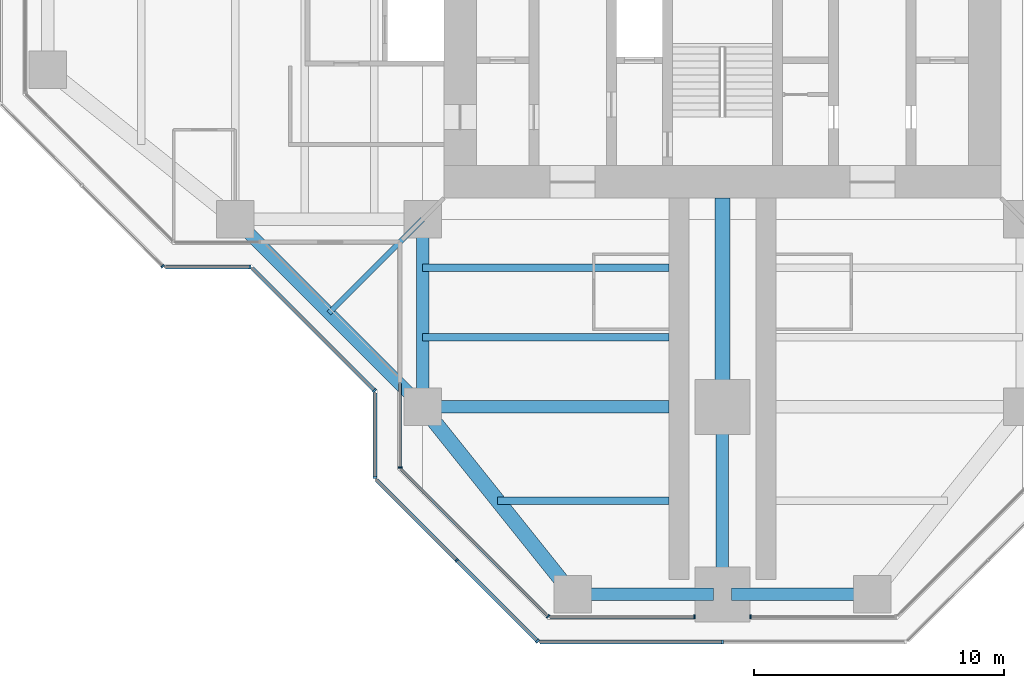
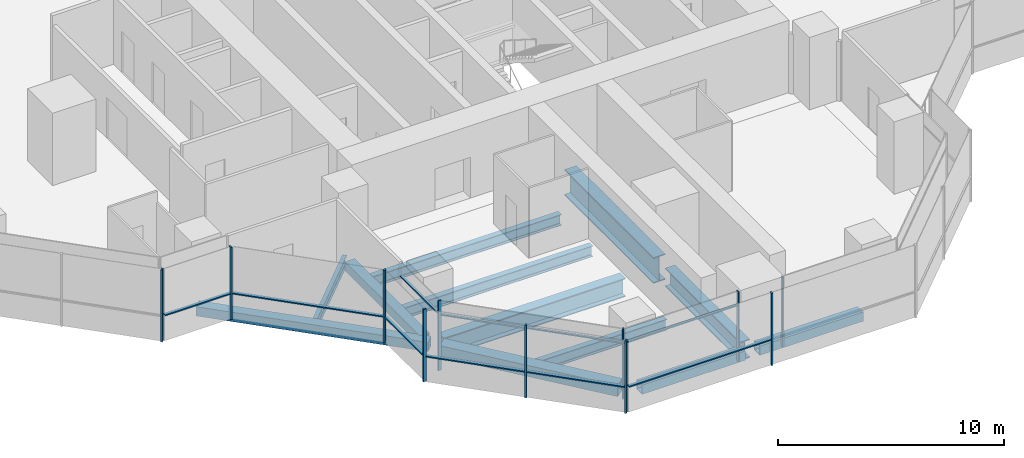
# One storey, part 2 of 17: 20 members, 12 beams, 10 elements without a shape of their own.
"""IFC4 building model written with IfcOpenShell, lengths in metres."""

from ifc_helpers import new_model, si_unit, direction, frame, origin, origin_2d, place, context, subcontext, project, spatial, rectangle, hollow_rectangle, i_section, extrude, material, material_profile, profile_set, type_object, element, aggregate, save


model = new_model("IFC4")

# Units and contexts
model_context = context("Model", 3, precision=1e-05, world=origin(), true_north=direction((0.0, 1.0)))
body_context = subcontext(model_context, "Body", "Model", "MODEL_VIEW")
ifc_project = project(units=[si_unit("LENGTHUNIT", "METRE"), si_unit("AREAUNIT", "SQUARE_METRE"), si_unit("VOLUMEUNIT", "CUBIC_METRE"), si_unit("PLANEANGLEUNIT", "RADIAN"), si_unit("MASSUNIT", "GRAM", prefix="KILO")], contexts=[model_context])

# Site, building, storey
site_placement = place(None, origin())
site = spatial("IfcSite", under=ifc_project, at=site_placement, CompositionType="ELEMENT")
building_placement = place(site_placement, origin())
building = spatial("IfcBuilding", under=site, at=building_placement, Name="Mizan Broadcast Tower", CompositionType="ELEMENT")
storey_placement = place(building_placement, frame((0.0, 0.0, 251.699951171875)))
storey = spatial("IfcBuildingStorey", under=building, at=storey_placement, Name="L59", CompositionType="ELEMENT", Elevation=251.699951171875)

# Beams
ifc_material_1 = material(Name="Steel S355", Category="steel")
ifc_material_profile_1 = material_profile(ifc_material_1, hollow_rectangle(XDim=0.5, YDim=0.5, WallThickness=0.030029296875, at=origin_2d()), Name="BOX 500x500x30")
ifc_profile_set_1 = profile_set([ifc_material_profile_1], Name="Steel S355")
beam_type_1 = type_object("IfcBeamType", Name="EDGE BEAM BOX 500x500x30", PredefinedType="SPANDREL", material=ifc_profile_set_1)
beam_1_placement = place(storey_placement, frame((-12.0, -12.449951171875, -0.3798828125), z_axis=(0.0, -1.0, 0.0), x_axis=(1.0, 0.0, 0.0)))
element("IfcBeam", 1, at=beam_1_placement, inside=storey, type_object=beam_type_1, Name="Edge beam BOX 500x500x30 L59 south arm", PredefinedType="SPANDREL", context=body_context, shape_type="SweptSolid", body=[
    extrude(hollow_rectangle(XDim=0.5, YDim=0.5, WallThickness=0.030029296875, at=origin_2d()), origin(), (0.0, 0.0, 1.0), 6.60009765625),
])
for number, where, z_axis, x_axis, name in (
    (2, (-5.639892578125, -27.0, -0.3798828125), (1.0, 0.0, 0.0), (0.0, 1.0, 0.0), "Edge beam BOX 500x500x30 L59 south arm"),
    (3, (5.639892578125, -27.0, -0.3798828125), (-1.0, 0.0, 0.0), (0.0, -1.0, 0.0), "Edge beam BOX 500x500x30 L59 south arm"),
):
    element("IfcBeam", number, at=place(storey_placement, frame(where, z_axis=z_axis, x_axis=x_axis)), inside=storey, type_object=beam_type_1, Name=name, PredefinedType="SPANDREL", context=body_context, shape_type="SweptSolid", body=[
        extrude(hollow_rectangle(XDim=0.5, YDim=0.5, WallThickness=0.030029296875, at=origin_2d()), origin(), (0.0, 0.0, 1.0), 5.27978515625),
    ])
beam_2_placement = place(storey_placement, frame((-19.5, -12.0, -0.3798828125), z_axis=(0.707106781187, -0.707106781187, 0.0), x_axis=(0.707106781187, 0.707106781187, 0.0)))
element("IfcBeam", 4, at=beam_2_placement, inside=storey, type_object=beam_type_1, Name="Winter garden edge beam L59 W", PredefinedType="SPANDREL", context=body_context, shape_type="SweptSolid", body=[
    extrude(hollow_rectangle(XDim=0.5, YDim=0.5, WallThickness=0.030029296875, at=origin_2d()), origin(), (0.0, 0.0, 1.0), 10.606689453125),
])
ifc_material_2 = material(Name="Steel S355", Category="steel")
ifc_material_profile_2 = material_profile(ifc_material_2, hollow_rectangle(XDim=0.60009765625, YDim=0.60009765625, WallThickness=0.030029296875, at=origin_2d()), Name="BOX 600x600x30")
ifc_profile_set_2 = profile_set([ifc_material_profile_2], Name="Steel S355")
beam_type_2 = type_object("IfcBeamType", Name="EDGE BEAM BOX 600x600x30", PredefinedType="SPANDREL", material=ifc_profile_set_2)
beam_3_placement = place(storey_placement, frame((-11.639892578125, -19.949951171875, -0.429931640625), z_axis=(0.624673911726, -0.780885717636, 0.0), x_axis=(0.780885717636, 0.624673911726, 0.0)))
element("IfcBeam", 5, at=beam_3_placement, inside=storey, type_object=beam_type_2, Name="Edge beam BOX 600x600x30 L59 south arm", PredefinedType="SPANDREL", context=body_context, shape_type="SweptSolid", body=[
    extrude(hollow_rectangle(XDim=0.60009765625, YDim=0.60009765625, WallThickness=0.030029296875, at=origin_2d()), origin(), (0.0, 0.0, 1.0), 8.4521484375),
])
ifc_material_3 = material(Name="Steel S460", Category="steel")
ifc_material_profile_3 = material_profile(ifc_material_3, i_section(OverallWidth=0.5, OverallDepth=1.0, WebThickness=0.02490234375, FlangeThickness=0.050048828125, at=origin_2d()), Name="WPG 1000x500")
ifc_profile_set_3 = profile_set([ifc_material_profile_3], Name="Steel S460")
beam_type_3 = type_object("IfcBeamType", Name="GIRDER WPG 1000x500", PredefinedType="BEAM", material=ifc_profile_set_3)
beam_4_placement = place(storey_placement, frame((0.0, -19.949951171875, -0.6298828125), z_axis=(0.0, -1.0, 0.0), x_axis=(1.0, 0.0, 0.0)))
element("IfcBeam", 6, at=beam_4_placement, inside=storey, type_object=beam_type_3, Name="Girder WPG 1000x500 L59 south arm", PredefinedType="BEAM", context=body_context, shape_type="SweptSolid", body=[
    extrude(i_section(OverallWidth=0.5, OverallDepth=1.0, WebThickness=0.02490234375, FlangeThickness=0.050048828125, at=origin_2d()), origin(), (0.0, 0.0, 1.0), 6.60009765625),
])
beam_5_placement = place(storey_placement, frame((-11.408935546875, -19.5, -0.6298828125), z_axis=(1.0, 0.0, 0.0), x_axis=(0.0, 1.0, 0.0)))
element("IfcBeam", 7, at=beam_5_placement, inside=storey, type_object=beam_type_3, Name="Girder WPG 1000x500 L59 south arm", PredefinedType="BEAM", context=body_context, shape_type="SweptSolid", body=[
    extrude(i_section(OverallWidth=0.5, OverallDepth=1.0, WebThickness=0.02490234375, FlangeThickness=0.050048828125, at=origin_2d()), origin(), (0.0, 0.0, 1.0), 9.259033203125),
])
ifc_material_4 = material(Name="Steel S460", Category="steel")
ifc_material_profile_4 = material_profile(ifc_material_4, i_section(OverallWidth=0.60009765625, OverallDepth=1.39990234375, WebThickness=0.02490234375, FlangeThickness=0.06005859375, at=origin_2d()), Name="WPG 1400x600")
ifc_profile_set_4 = profile_set([ifc_material_profile_4], Name="Steel S460")
beam_type_4 = type_object("IfcBeamType", Name="GIRDER WPG 1400x600", PredefinedType="BEAM", material=ifc_profile_set_4)
beam_6_placement = place(storey_placement, frame((0.0, -11.14990234375, -0.829833984375), z_axis=(0.0, -1.0, 0.0), x_axis=(1.0, 0.0, 0.0)))
element("IfcBeam", 8, at=beam_6_placement, inside=storey, type_object=beam_type_4, Name="Girder WPG 1400x600 L59 south arm", PredefinedType="BEAM", context=body_context, shape_type="SweptSolid", body=[
    extrude(i_section(OverallWidth=0.60009765625, OverallDepth=1.39990234375, WebThickness=0.02490234375, FlangeThickness=0.06005859375, at=origin_2d()), origin(), (0.0, 0.0, 1.0), 7.84912109375),
])

# Curtain wall, member
ifc_material_5 = material(Name="Aluminium framed glazing", Category="aluminium")
curtain_wall_type_1 = type_object("IfcCurtainWallType", Name="INNER SKIN HIGH ZONE", PredefinedType="USERDEFINED", material=ifc_material_5)
curtain_wall_1_placement = place(storey_placement, origin())
curtain_wall_1 = element("IfcCurtainWall", 9, at=curtain_wall_1_placement, inside=storey, type_object=curtain_wall_type_1, Name="Inner skin high zone L59 S side", ObjectType="INNER SKIN HIGH ZONE", PredefinedType="USERDEFINED")
ifc_material_6 = material(Name="Aluminium, pale anodised", Category="aluminium")
ifc_material_profile_5 = material_profile(ifc_material_6, rectangle(XDim=0.159912109375, YDim=0.06005859375, at=origin_2d()), Name="MULLION 160x60")
ifc_profile_set_5 = profile_set([ifc_material_profile_5], Name="Aluminium, pale anodised")
member_type_1 = type_object("IfcMemberType", Name="INNER SKIN MULLION 60x160", PredefinedType="MULLION", material=ifc_profile_set_5)
member_1_placement = place(storey_placement, frame((-12.89990234375, -21.928466796875, 0.0), z_axis=(0.0, 0.0, 1.0), x_axis=(1.0, 0.0, 0.0)))
member_1 = element("IfcMember", 10, at=member_1_placement, type_object=member_type_1, Name="Inner skin high zone L59 S side mullion 2", PredefinedType="MULLION", context=body_context, shape_type="SweptSolid", body=[
    extrude(rectangle(XDim=0.159912109375, YDim=0.06005859375, at=origin_2d()), origin(), (0.0, 0.0, 1.0), 3.77001953125),
])

curtain_wall_2_placement = place(storey_placement, origin())
curtain_wall_2 = element("IfcCurtainWall", 11, at=curtain_wall_2_placement, inside=storey, type_object=curtain_wall_type_1, Name="Inner skin high zone L59 S chamfer", ObjectType="INNER SKIN HIGH ZONE", PredefinedType="USERDEFINED")
member_2_placement = place(storey_placement, frame((-6.979736328125, -27.87890625, 0.0), z_axis=(0.0, 0.0, 1.0), x_axis=(0.707106781187, 0.707106781187, 0.0)))
member_2 = element("IfcMember", 12, at=member_2_placement, type_object=member_type_1, Name="Inner skin high zone L59 S chamfer mullion 2", PredefinedType="MULLION", context=body_context, shape_type="SweptSolid", body=[
    extrude(rectangle(XDim=0.159912109375, YDim=0.06005859375, at=origin_2d()), origin(), (0.0, 0.0, 1.0), 3.77001953125),
])

curtain_wall_3_placement = place(storey_placement, origin())
curtain_wall_3 = element("IfcCurtainWall", 13, at=curtain_wall_3_placement, inside=storey, type_object=curtain_wall_type_1, Name="Inner skin high zone L59 S end", ObjectType="INNER SKIN HIGH ZONE", PredefinedType="USERDEFINED")
member_3_placement = place(storey_placement, frame((-1.1298828125, -27.89990234375, 0.0), z_axis=(0.0, 0.0, 1.0), x_axis=(0.0, 1.0, 0.0)))
member_3 = element("IfcMember", 14, at=member_3_placement, type_object=member_type_1, Name="Inner skin high zone L59 S end mullion 2", PredefinedType="MULLION", context=body_context, shape_type="SweptSolid", body=[
    extrude(rectangle(XDim=0.159912109375, YDim=0.06005859375, at=origin_2d()), origin(), (0.0, 0.0, 1.0), 3.77001953125),
])

curtain_wall_4_placement = place(storey_placement, origin())
curtain_wall_4 = element("IfcCurtainWall", 15, at=curtain_wall_4_placement, inside=storey, type_object=curtain_wall_type_1, Name="Inner skin high zone L59 S end", ObjectType="INNER SKIN HIGH ZONE", PredefinedType="USERDEFINED")
member_4_placement = place(storey_placement, frame((1.1298828125, -27.89990234375, 0.0), z_axis=(0.0, 0.0, 1.0), x_axis=(0.0, 1.0, 0.0)))
member_4 = element("IfcMember", 16, at=member_4_placement, type_object=member_type_1, Name="Inner skin high zone L59 S end mullion 1", PredefinedType="MULLION", context=body_context, shape_type="SweptSolid", body=[
    extrude(rectangle(XDim=0.159912109375, YDim=0.06005859375, at=origin_2d()), origin(), (0.0, 0.0, 1.0), 3.77001953125),
])
aggregate(curtain_wall_4, [member_4])

# Member
ifc_material_7 = material(Name="Aluminium, pale anodised", Category="aluminium")
ifc_material_profile_6 = material_profile(ifc_material_7, rectangle(XDim=0.1201171875, YDim=0.06005859375, at=origin_2d()), Name="TRANSOM 120x60")
ifc_profile_set_6 = profile_set([ifc_material_profile_6], Name="Aluminium, pale anodised")
member_type_2 = type_object("IfcMemberType", Name="INNER SKIN TRANSOM 60x120", PredefinedType="USERDEFINED", material=ifc_profile_set_6)
member_5_placement = place(storey_placement, frame((-12.89990234375, -18.56005859375, 3.030029296875), z_axis=(0.0, -1.0, 0.0), x_axis=(1.0, 0.0, 0.0)))
member_5 = element("IfcMember", 17, at=member_5_placement, type_object=member_type_2, Name="Inner skin high zone L59 S side transom 1.1", ObjectType="TRANSOM", PredefinedType="USERDEFINED", context=body_context, shape_type="SweptSolid", body=[
    extrude(rectangle(XDim=0.1201171875, YDim=0.06005859375, at=origin_2d()), origin(), (0.0, 0.0, 1.0), 3.338623046875),
])

aggregate(curtain_wall_1, [member_1, member_5])

member_6_placement = place(storey_placement, frame((-12.857666015625, -22.0009765625, 3.030029296875), z_axis=(0.707106781187, -0.707106781187, 0.0), x_axis=(0.707106781187, 0.707106781187, 0.0)))
member_6 = element("IfcMember", 18, at=member_6_placement, type_object=member_type_2, Name="Inner skin high zone L59 S chamfer transom 1.1", ObjectType="TRANSOM", PredefinedType="USERDEFINED", context=body_context, shape_type="SweptSolid", body=[
    extrude(rectangle(XDim=0.1201171875, YDim=0.06005859375, at=origin_2d()), origin(), (0.0, 0.0, 1.0), 8.28271484375),
])

aggregate(curtain_wall_2, [member_2, member_6])

member_7_placement = place(storey_placement, frame((-6.898681640625, -27.89990234375, 3.030029296875), z_axis=(1.0, 0.0, 0.0), x_axis=(0.0, 1.0, 0.0)))
member_7 = element("IfcMember", 19, at=member_7_placement, type_object=member_type_2, Name="Inner skin high zone L59 S end transom 1.1", ObjectType="TRANSOM", PredefinedType="USERDEFINED", context=body_context, shape_type="SweptSolid", body=[
    extrude(rectangle(XDim=0.1201171875, YDim=0.06005859375, at=origin_2d()), origin(), (0.0, 0.0, 1.0), 5.73876953125),
])

aggregate(curtain_wall_3, [member_3, member_7])

# Curtain wall, member
ifc_material_8 = material(Name="Aluminium framed glazing", Category="aluminium")
curtain_wall_type_2 = type_object("IfcCurtainWallType", Name="OUTER SKIN", PredefinedType="USERDEFINED", material=ifc_material_8)
curtain_wall_5_placement = place(storey_placement, origin())
curtain_wall_5 = element("IfcCurtainWall", 20, at=curtain_wall_5_placement, inside=storey, type_object=curtain_wall_type_2, Name="Outer skin L59 W chamfer", ObjectType="OUTER SKIN", PredefinedType="USERDEFINED")
ifc_material_9 = material(Name="Aluminium, pale anodised", Category="aluminium")
ifc_material_profile_7 = material_profile(ifc_material_9, rectangle(XDim=0.159912109375, YDim=0.080078125, at=origin_2d()), Name="MULLION 160x80")
ifc_profile_set_7 = profile_set([ifc_material_profile_7], Name="Aluminium, pale anodised")
member_type_3 = type_object("IfcMemberType", Name="OUTER SKIN MULLION 80x160", PredefinedType="MULLION", material=ifc_profile_set_7)
member_8_placement = place(storey_placement, frame((-22.401123046875, -13.871826171875, 0.0), z_axis=(0.0, 0.0, 1.0), x_axis=(0.707106781187, 0.707106781187, 0.0)))
member_8 = element("IfcMember", 21, at=member_8_placement, type_object=member_type_3, Name="Outer skin L59 W chamfer mullion 3", PredefinedType="MULLION", context=body_context, shape_type="SweptSolid", body=[
    extrude(rectangle(XDim=0.159912109375, YDim=0.080078125, at=origin_2d()), origin(), (0.0, 0.0, 1.0), 3.900146484375),
])
aggregate(curtain_wall_5, [member_8])

curtain_wall_6_placement = place(storey_placement, origin())
curtain_wall_6 = element("IfcCurtainWall", 22, at=curtain_wall_6_placement, inside=storey, type_object=curtain_wall_type_2, Name="Outer skin L59 W side", ObjectType="OUTER SKIN", PredefinedType="USERDEFINED")
member_9_placement = place(storey_placement, frame((-18.912841796875, -13.89990234375, 0.0), z_axis=(0.0, 0.0, 1.0), x_axis=(0.0, 1.0, 0.0)))
member_9 = element("IfcMember", 23, at=member_9_placement, type_object=member_type_3, Name="Outer skin L59 W side mullion 2", PredefinedType="MULLION", context=body_context, shape_type="SweptSolid", body=[
    extrude(rectangle(XDim=0.159912109375, YDim=0.080078125, at=origin_2d()), origin(), (0.0, 0.0, 1.0), 3.900146484375),
])

curtain_wall_7_placement = place(storey_placement, origin())
curtain_wall_7 = element("IfcCurtainWall", 24, at=curtain_wall_7_placement, inside=storey, type_object=curtain_wall_type_2, Name="Outer skin L59 W chamfer", ObjectType="OUTER SKIN", PredefinedType="USERDEFINED")
member_10_placement = place(storey_placement, frame((-13.92822265625, -18.844482421875, 0.0), z_axis=(0.0, 0.0, 1.0), x_axis=(0.707106781187, 0.707106781187, 0.0)))
member_10 = element("IfcMember", 25, at=member_10_placement, type_object=member_type_3, Name="Outer skin L59 W chamfer mullion 2", PredefinedType="MULLION", context=body_context, shape_type="SweptSolid", body=[
    extrude(rectangle(XDim=0.159912109375, YDim=0.080078125, at=origin_2d()), origin(), (0.0, 0.0, 1.0), 3.900146484375),
])

curtain_wall_8_placement = place(storey_placement, origin())
curtain_wall_8 = element("IfcCurtainWall", 26, at=curtain_wall_8_placement, inside=storey, type_object=curtain_wall_type_2, Name="Outer skin L59 S side", ObjectType="OUTER SKIN", PredefinedType="USERDEFINED")
member_11_placement = place(storey_placement, frame((-13.89990234375, -22.332763671875, 0.0), z_axis=(0.0, 0.0, 1.0), x_axis=(1.0, 0.0, 0.0)))
member_11 = element("IfcMember", 27, at=member_11_placement, type_object=member_type_3, Name="Outer skin L59 S side mullion 2", PredefinedType="MULLION", context=body_context, shape_type="SweptSolid", body=[
    extrude(rectangle(XDim=0.159912109375, YDim=0.080078125, at=origin_2d()), origin(), (0.0, 0.0, 1.0), 3.900146484375),
])

# Curtain wall, members
curtain_wall_9_placement = place(storey_placement, origin())
curtain_wall_9 = element("IfcCurtainWall", 28, at=curtain_wall_9_placement, inside=storey, type_object=curtain_wall_type_2, Name="Outer skin L59 S chamfer", ObjectType="OUTER SKIN", PredefinedType="USERDEFINED")
member_12_placement = place(storey_placement, frame((-10.636474609375, -25.636474609375, 0.0), z_axis=(0.0, 0.0, 1.0), x_axis=(0.707106781187, 0.707106781187, 0.0)))
member_12 = element("IfcMember", 29, at=member_12_placement, type_object=member_type_3, Name="Outer skin L59 S chamfer mullion 2", PredefinedType="MULLION", context=body_context, shape_type="SweptSolid", body=[
    extrude(rectangle(XDim=0.159912109375, YDim=0.080078125, at=origin_2d()), origin(), (0.0, 0.0, 1.0), 3.900146484375),
])
member_13_placement = place(storey_placement, frame((-7.401123046875, -28.871826171875, 0.0), z_axis=(0.0, 0.0, 1.0), x_axis=(0.707106781187, 0.707106781187, 0.0)))
member_13 = element("IfcMember", 30, at=member_13_placement, type_object=member_type_3, Name="Outer skin L59 S chamfer mullion 3", PredefinedType="MULLION", context=body_context, shape_type="SweptSolid", body=[
    extrude(rectangle(XDim=0.159912109375, YDim=0.080078125, at=origin_2d()), origin(), (0.0, 0.0, 1.0), 3.900146484375),
])

# Curtain wall, member
curtain_wall_10_placement = place(storey_placement, origin())
curtain_wall_10 = element("IfcCurtainWall", 31, at=curtain_wall_10_placement, inside=storey, type_object=curtain_wall_type_2, Name="Outer skin L59 S end", ObjectType="OUTER SKIN", PredefinedType="USERDEFINED")
member_14_placement = place(storey_placement, frame((0.0, -28.89990234375, 0.0), z_axis=(0.0, 0.0, 1.0), x_axis=(0.0, 1.0, 0.0)))
member_14 = element("IfcMember", 32, at=member_14_placement, type_object=member_type_3, Name="Outer skin L59 S end mullion 2", PredefinedType="MULLION", context=body_context, shape_type="SweptSolid", body=[
    extrude(rectangle(XDim=0.159912109375, YDim=0.080078125, at=origin_2d()), origin(), (0.0, 0.0, 1.0), 3.900146484375),
])

# Member
ifc_material_10 = material(Name="Aluminium, pale anodised", Category="aluminium")
ifc_material_profile_8 = material_profile(ifc_material_10, rectangle(XDim=0.159912109375, YDim=0.06005859375, at=origin_2d()), Name="TRANSOM 160x60")
ifc_profile_set_8 = profile_set([ifc_material_profile_8], Name="Aluminium, pale anodised")
member_type_4 = type_object("IfcMemberType", Name="OUTER SKIN TRANSOM 60x160", PredefinedType="USERDEFINED", material=ifc_profile_set_8)
member_15_placement = place(storey_placement, frame((-22.292724609375, -13.89990234375, 1.400146484375), z_axis=(1.0, 0.0, 0.0), x_axis=(0.0, 1.0, 0.0)))
member_15 = element("IfcMember", 33, at=member_15_placement, type_object=member_type_4, Name="Outer skin L59 W side transom 1.1", ObjectType="TRANSOM", PredefinedType="USERDEFINED", context=body_context, shape_type="SweptSolid", body=[
    extrude(rectangle(XDim=0.159912109375, YDim=0.06005859375, at=origin_2d()), origin(), (0.0, 0.0, 1.0), 3.33984375),
])

aggregate(curtain_wall_6, [member_9, member_15])

member_16_placement = place(storey_placement, frame((-18.816162109375, -13.95654296875, 1.400146484375), z_axis=(0.707106781187, -0.707106781187, 0.0), x_axis=(0.707106781187, 0.707106781187, 0.0)))
member_16 = element("IfcMember", 34, at=member_16_placement, type_object=member_type_4, Name="Outer skin L59 W chamfer transom 1.1", ObjectType="TRANSOM", PredefinedType="USERDEFINED", context=body_context, shape_type="SweptSolid", body=[
    extrude(rectangle(XDim=0.159912109375, YDim=0.06005859375, at=origin_2d()), origin(), (0.0, 0.0, 1.0), 6.87255859375),
])

aggregate(curtain_wall_7, [member_10, member_16])

member_17_placement = place(storey_placement, frame((-13.89990234375, -18.952880859375, 1.400146484375), z_axis=(0.0, -1.0, 0.0), x_axis=(1.0, 0.0, 0.0)))
member_17 = element("IfcMember", 35, at=member_17_placement, type_object=member_type_4, Name="Outer skin L59 S side transom 1.1", ObjectType="TRANSOM", PredefinedType="USERDEFINED", context=body_context, shape_type="SweptSolid", body=[
    extrude(rectangle(XDim=0.159912109375, YDim=0.06005859375, at=origin_2d()), origin(), (0.0, 0.0, 1.0), 3.33984375),
])

aggregate(curtain_wall_8, [member_11, member_17])

member_18_placement = place(storey_placement, frame((-13.843505859375, -22.429443359375, 1.400146484375), z_axis=(0.707106781187, -0.707106781187, 0.0), x_axis=(0.707106781187, 0.707106781187, 0.0)))
member_18 = element("IfcMember", 36, at=member_18_placement, type_object=member_type_4, Name="Outer skin L59 S chamfer transom 1.1", ObjectType="TRANSOM", PredefinedType="USERDEFINED", context=body_context, shape_type="SweptSolid", body=[
    extrude(rectangle(XDim=0.159912109375, YDim=0.06005859375, at=origin_2d()), origin(), (0.0, 0.0, 1.0), 4.495361328125),
])

member_19_placement = place(storey_placement, frame((-10.608154296875, -25.664794921875, 1.400146484375), z_axis=(0.707106781187, -0.707106781187, 0.0), x_axis=(0.707106781187, 0.707106781187, 0.0)))
member_19 = element("IfcMember", 37, at=member_19_placement, type_object=member_type_4, Name="Outer skin L59 S chamfer transom 2.1", ObjectType="TRANSOM", PredefinedType="USERDEFINED", context=body_context, shape_type="SweptSolid", body=[
    extrude(rectangle(XDim=0.159912109375, YDim=0.06005859375, at=origin_2d()), origin(), (0.0, 0.0, 1.0), 4.495361328125),
])

aggregate(curtain_wall_9, [member_12, member_13, member_18, member_19])

member_20_placement = place(storey_placement, frame((-7.292724609375, -28.89990234375, 1.400146484375), z_axis=(1.0, 0.0, 0.0), x_axis=(0.0, 1.0, 0.0)))
member_20 = element("IfcMember", 38, at=member_20_placement, type_object=member_type_4, Name="Outer skin L59 S end transom 1.1", ObjectType="TRANSOM", PredefinedType="USERDEFINED", context=body_context, shape_type="SweptSolid", body=[
    extrude(rectangle(XDim=0.159912109375, YDim=0.06005859375, at=origin_2d()), origin(), (0.0, 0.0, 1.0), 7.252685546875),
])

aggregate(curtain_wall_10, [member_14, member_20])

# Beams
ifc_material_11 = material(Name="Steel S355", Category="steel")
ifc_material_profile_9 = material_profile(ifc_material_11, i_section(OverallWidth=0.300048828125, OverallDepth=0.590087890625, WebThickness=0.012939453125, FlangeThickness=0.02490234375, FilletRadius=0.027099609375, at=origin_2d()), Name="HEA 600")
ifc_profile_set_9 = profile_set([ifc_material_profile_9], Name="Steel S355")
beam_type_5 = type_object("IfcBeamType", Name="SECONDARY BEAM HEA 600", PredefinedType="JOIST", material=ifc_profile_set_9)
for number, where, z_axis, x_axis, name in (
    (39, (-12.0, -13.933349609375, -0.425048828125), (1.0, 0.0, 0.0), (0.0, 1.0, 0.0), "Secondary beam HEA 600 L59 south arm"),
    (40, (-12.0, -16.716552734375, -0.425048828125), (1.0, 0.0, 0.0), (0.0, 1.0, 0.0), "Secondary beam HEA 600 L59 south arm"),
):
    element("IfcBeam", number, at=place(storey_placement, frame(where, z_axis=z_axis, x_axis=x_axis)), inside=storey, type_object=beam_type_5, Name=name, PredefinedType="JOIST", context=body_context, shape_type="SweptSolid", body=[
        extrude(i_section(OverallWidth=0.300048828125, OverallDepth=0.590087890625, WebThickness=0.012939453125, FlangeThickness=0.02490234375, FilletRadius=0.027099609375, at=origin_2d()), origin(), (0.0, 0.0, 1.0), 9.85009765625),
    ])
beam_7_placement = place(storey_placement, frame((-9.0, -23.25, -0.425048828125), z_axis=(1.0, 0.0, 0.0), x_axis=(0.0, 1.0, 0.0)))
element("IfcBeam", 41, at=beam_7_placement, inside=storey, type_object=beam_type_5, Name="Secondary beam HEA 600 L59 south arm", PredefinedType="JOIST", context=body_context, shape_type="SweptSolid", body=[
    extrude(i_section(OverallWidth=0.300048828125, OverallDepth=0.590087890625, WebThickness=0.012939453125, FlangeThickness=0.02490234375, FilletRadius=0.027099609375, at=origin_2d()), origin(), (0.0, 0.0, 1.0), 6.85009765625),
])
ifc_material_12 = material(Name="Steel S355", Category="steel")
ifc_material_profile_10 = material_profile(ifc_material_12, i_section(OverallWidth=0.2099609375, OverallDepth=0.550048828125, WebThickness=0.010986328125, FlangeThickness=0.01708984375, FilletRadius=0.02392578125, at=origin_2d()), Name="IPE 550")
ifc_profile_set_10 = profile_set([ifc_material_profile_10], Name="Steel S355")
beam_type_6 = type_object("IfcBeamType", Name="SECONDARY BEAM IPE 550", PredefinedType="JOIST", material=ifc_profile_set_10)
beam_8_placement = place(storey_placement, frame((-12.0, -12.0, -0.405029296875), z_axis=(-0.707106781187, -0.707106781187, 0.0), x_axis=(0.707106781187, -0.707106781187, 0.0)))
element("IfcBeam", 42, at=beam_8_placement, inside=storey, type_object=beam_type_6, Name="Winter garden beam L59 W", PredefinedType="JOIST", context=body_context, shape_type="SweptSolid", body=[
    extrude(i_section(OverallWidth=0.2099609375, OverallDepth=0.550048828125, WebThickness=0.010986328125, FlangeThickness=0.01708984375, FilletRadius=0.02392578125, at=origin_2d()), origin(), (0.0, 0.0, 1.0), 5.30322265625),
])

save(model, "model.ifc")
